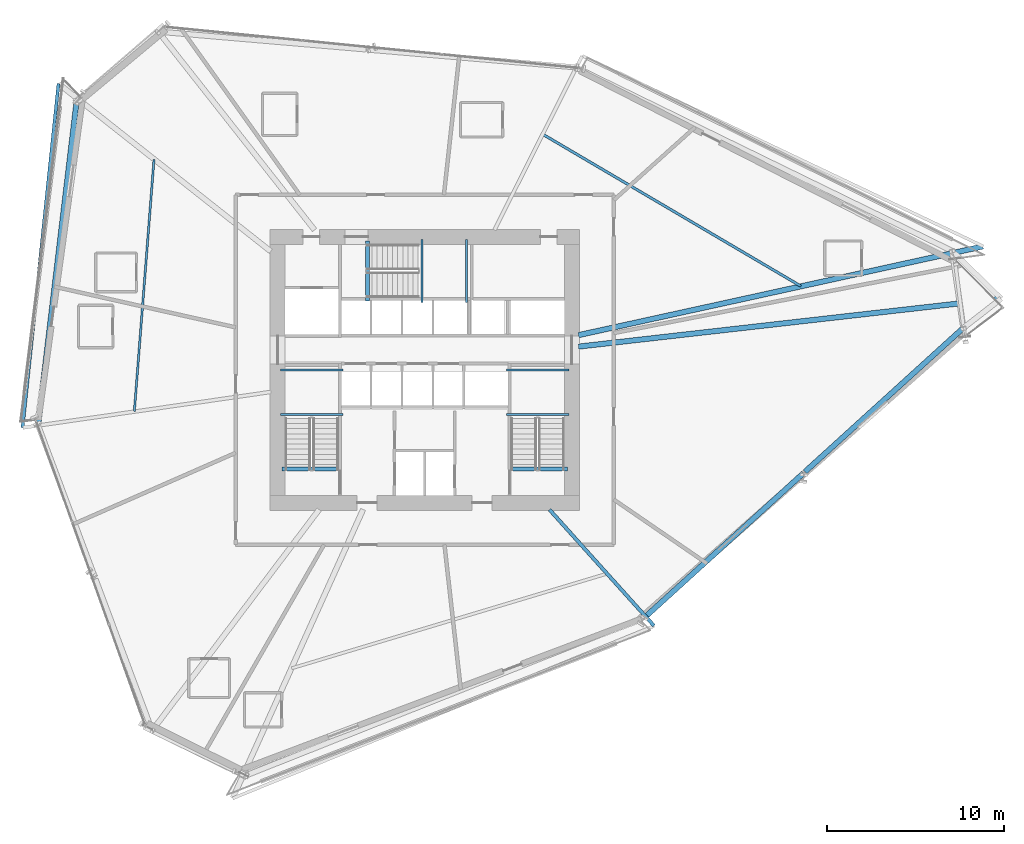
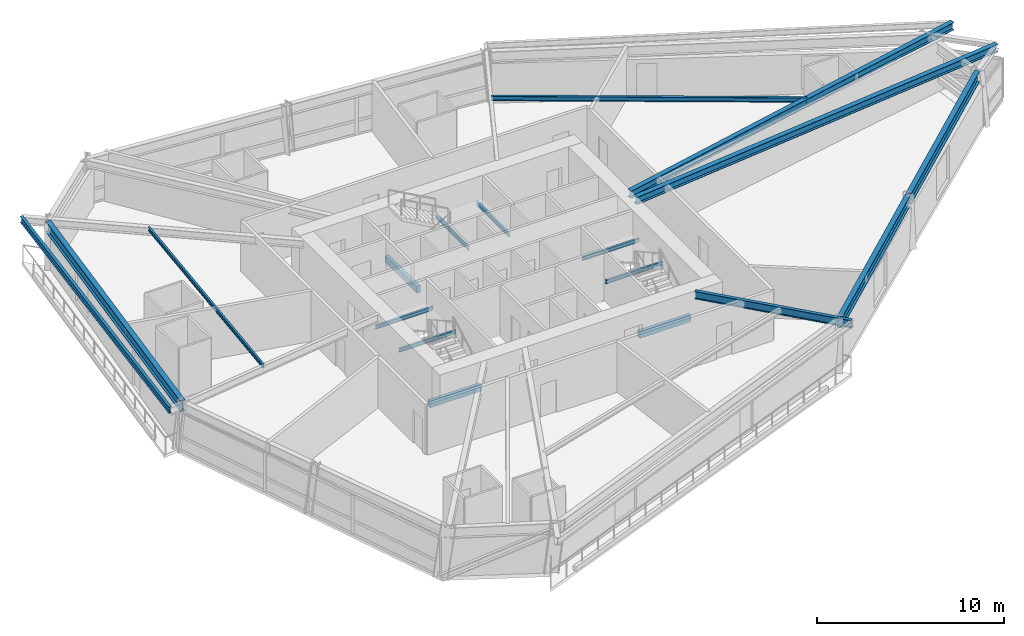
# One storey, part 7 of 24: 18 beams.
"""IFC4 building model written with IfcOpenShell, lengths in metres."""

from ifc_helpers import new_model, si_unit, direction, frame, origin, origin_2d, place, context, subcontext, project, spatial, rectangle, i_section, extrude, source, transform, mapped, material, material_profile, profile_set, type_object, element, save


model = new_model("IFC4")

# Units and contexts
model_context = context("Model", 3, precision=1e-05, world=origin(), true_north=direction((0.0, 1.0)))
body_context = subcontext(model_context, "Body", "Model", "MODEL_VIEW")
ifc_project = project(units=[si_unit("LENGTHUNIT", "METRE"), si_unit("AREAUNIT", "SQUARE_METRE"), si_unit("VOLUMEUNIT", "CUBIC_METRE"), si_unit("PLANEANGLEUNIT", "RADIAN"), si_unit("MASSUNIT", "GRAM", prefix="KILO")], contexts=[model_context])

# Site, building, storey
site_placement = place(None, origin())
site = spatial("IfcSite", under=ifc_project, at=site_placement, CompositionType="ELEMENT")
building_placement = place(site_placement, origin())
building = spatial("IfcBuilding", under=site, at=building_placement, Name="Olszyna Solenne Hotel", CompositionType="ELEMENT")
storey_placement = place(building_placement, frame((0.0, 0.0, 64.800048828125)))
storey = spatial("IfcBuildingStorey", under=building, at=storey_placement, Name="L16", CompositionType="ELEMENT", Elevation=64.800048828125)

# Beams
ifc_material_1 = material(Name="Steel S355J2", Category="steel")
ifc_material_profile_1 = material_profile(ifc_material_1, i_section(OverallWidth=0.300048828125, OverallDepth=0.699951171875, WebThickness=0.01708984375, FlangeThickness=0.031982421875, at=origin_2d()), Name="HEB 700", Category="load-bearing")
ifc_profile_set_1 = profile_set([ifc_material_profile_1], Name="Steel S355J2")
beam_type_1 = type_object("IfcBeamType", Name="BM-S1", PredefinedType="BEAM", material=ifc_profile_set_1)
shared_shape_1 = source(origin(), body_context, "Body", "SweptSolid", [
    extrude(i_section(OverallWidth=0.300048828125, OverallDepth=0.699951171875, WebThickness=0.01708984375, FlangeThickness=0.031982421875, at=origin_2d()), origin(), (0.0, 0.0, 1.0), 18.314208984375),
])
beam_1_placement = place(storey_placement, frame((18.29345703125, 41.69580078125, 2.949951171875), z_axis=(-0.118109611956, -0.993000563728, 0.0), x_axis=(0.993000563728, -0.118109611956, 0.0)))
element("IfcBeam", 1, at=beam_1_placement, inside=storey, type_object=beam_type_1, Name="Perimeter spandrel beam BM-S1 B-L16-0500", PredefinedType="BEAM", context=body_context, shape_type="MappedRepresentation", body=[
    mapped(shared_shape_1, transform((0.0, 0.0, 0.0), x_axis=(1.0, 0.0, 0.0), y_axis=(0.0, 1.0, 0.0), z_axis=(0.0, 0.0, 1.0), scale=1.0)),
])
shared_shape_2 = source(origin(), body_context, "Body", "SweptSolid", [
    extrude(i_section(OverallWidth=0.300048828125, OverallDepth=0.699951171875, WebThickness=0.01708984375, FlangeThickness=0.031982421875, at=origin_2d()), origin(), (0.0, 0.0, 1.0), 12.038818359375),
])
for number, where, z_axis, x_axis, name in (
    (2, (50.520263671875, 12.656982421875, 2.949951171875), (0.74029692212, 0.672280051094, 0.0), (-0.672280051094, 0.74029692212, 0.0), "Perimeter spandrel beam BM-S1 B-L16-0505"),
    (3, (59.521484375, 20.831298828125, 2.949951171875), (0.74029692212, 0.672280051094, 0.0), (-0.672280051094, 0.74029692212, 0.0), "Perimeter spandrel beam BM-S1 B-L16-0506"),
):
    element("IfcBeam", number, at=place(storey_placement, frame(where, z_axis=z_axis, x_axis=x_axis)), inside=storey, type_object=beam_type_1, Name=name, PredefinedType="BEAM", context=body_context, shape_type="MappedRepresentation", body=[
        mapped(shared_shape_2, transform((0.0, 0.0, 0.0), x_axis=(1.0, 0.0, 0.0), y_axis=(0.0, 1.0, 0.0), z_axis=(0.0, 0.0, 1.0), scale=1.0)),
    ])
ifc_material_profile_2 = material_profile(ifc_material_1, i_section(OverallWidth=0.300048828125, OverallDepth=0.489990234375, WebThickness=0.011962890625, FlangeThickness=0.02294921875, at=origin_2d()), Name="HEA 500", Category="load-bearing")
ifc_profile_set_2 = profile_set([ifc_material_profile_2], Name="Steel S355J2")
beam_type_2 = type_object("IfcBeamType", Name="BM-G1", PredefinedType="BEAM", material=ifc_profile_set_2)
shared_shape_3 = source(origin(), body_context, "Body", "SweptSolid", [
    extrude(i_section(OverallWidth=0.300048828125, OverallDepth=0.489990234375, WebThickness=0.011962890625, FlangeThickness=0.02294921875, at=origin_2d()), origin(), (0.0, 0.0, 1.0), 24.045166015625),
])
beam_2_placement = place(storey_placement, frame((70.592529296875, 30.62109375, 3.054931640625), z_axis=(-0.993625250925, -0.112733582949, 0.0), x_axis=(0.112733582949, -0.993625250925, 0.0)))
element("IfcBeam", 4, at=beam_2_placement, inside=storey, type_object=beam_type_2, Name="Radial floor girder BM-G1 B-L16-0507", PredefinedType="BEAM", context=body_context, shape_type="MappedRepresentation", body=[
    mapped(shared_shape_3, transform((0.0, 0.0, 0.0), x_axis=(1.0, 0.0, 0.0), y_axis=(0.0, 1.0, 0.0), z_axis=(0.0, 0.0, 1.0), scale=1.0)),
])
shared_shape_4 = source(origin(), body_context, "Body", "SweptSolid", [
    extrude(i_section(OverallWidth=0.300048828125, OverallDepth=0.489990234375, WebThickness=0.011962890625, FlangeThickness=0.02294921875, at=origin_2d()), origin(), (0.0, 0.0, 1.0), 23.431640625),
])
beam_3_placement = place(storey_placement, frame((69.58837890625, 33.580810546875, 3.054931640625), z_axis=(-0.97676700943, -0.214304011371, 0.0), x_axis=(0.214304011371, -0.97676700943, 0.0)))
element("IfcBeam", 5, at=beam_3_placement, inside=storey, type_object=beam_type_2, Name="Radial floor girder BM-G1 B-L16-0508", PredefinedType="BEAM", context=body_context, shape_type="MappedRepresentation", body=[
    mapped(shared_shape_4, transform((0.0, 0.0, 0.0), x_axis=(1.0, 0.0, 0.0), y_axis=(0.0, 1.0, 0.0), z_axis=(0.0, 0.0, 1.0), scale=1.0)),
])
ifc_material_profile_3 = material_profile(ifc_material_1, i_section(OverallWidth=0.199951171875, OverallDepth=0.5, WebThickness=0.01025390625, FlangeThickness=0.01611328125, at=origin_2d()), Name="IPE 500", Category="load-bearing")
ifc_profile_set_3 = profile_set([ifc_material_profile_3], Name="Steel S355J2")
beam_type_3 = type_object("IfcBeamType", Name="BM-F3", PredefinedType="BEAM", material=ifc_profile_set_3)
shared_shape_5 = source(origin(), body_context, "Body", "SweptSolid", [
    extrude(i_section(OverallWidth=0.199951171875, OverallDepth=0.5, WebThickness=0.01025390625, FlangeThickness=0.01611328125, at=origin_2d()), origin(), (0.0, 0.0, 1.0), 8.84033203125),
])
beam_4_placement = place(storey_placement, frame((50.97265625, 12.115234375, 3.050048828125), z_axis=(-0.668841135255, 0.743405364381, 0.0), x_axis=(-0.743405364381, -0.668841135255, 0.0)))
element("IfcBeam", 6, at=beam_4_placement, inside=storey, type_object=beam_type_3, Name="Radial floor girder BM-F3 B-L16-0515", PredefinedType="BEAM", context=body_context, shape_type="MappedRepresentation", body=[
    mapped(shared_shape_5, transform((0.0, 0.0, 0.0), x_axis=(1.0, 0.0, 0.0), y_axis=(0.0, 1.0, 0.0), z_axis=(0.0, 0.0, 1.0), scale=1.0)),
])
ifc_material_profile_4 = material_profile(ifc_material_1, i_section(OverallWidth=0.14990234375, OverallDepth=0.300048828125, WebThickness=0.007080078125, FlangeThickness=0.0107421875, at=origin_2d()), Name="IPE 300", Category="load-bearing")
ifc_profile_set_4 = profile_set([ifc_material_profile_4], Name="Steel S355J2")
beam_type_4 = type_object("IfcBeamType", Name="JS-02", PredefinedType="JOIST", material=ifc_profile_set_4)
shared_shape_6 = source(origin(), body_context, "Body", "SweptSolid", [
    extrude(i_section(OverallWidth=0.14990234375, OverallDepth=0.300048828125, WebThickness=0.007080078125, FlangeThickness=0.0107421875, at=origin_2d()), origin(), (0.0, 0.0, 1.0), 16.925537109375),
])
beam_5_placement = place(storey_placement, frame((59.28271484375, 31.33349609375, 3.14990234375), z_axis=(-0.861852626917, 0.507158801044, 0.0), x_axis=(-0.507158801044, -0.861852626917, 0.0)))
element("IfcBeam", 7, at=beam_5_placement, inside=storey, type_object=beam_type_4, Name="Secondary composite floor joist JS-02 B-L16-0518", PredefinedType="JOIST", context=body_context, shape_type="MappedRepresentation", body=[
    mapped(shared_shape_6, transform((0.0, 0.0, 0.0), x_axis=(1.0, 0.0, 0.0), y_axis=(0.0, 1.0, 0.0), z_axis=(0.0, 0.0, 1.0), scale=1.0)),
])
ifc_material_profile_5 = material_profile(ifc_material_1, i_section(OverallWidth=0.1201171875, OverallDepth=0.239990234375, WebThickness=0.006103515625, FlangeThickness=0.009765625, at=origin_2d()), Name="IPE 240", Category="load-bearing")
ifc_profile_set_5 = profile_set([ifc_material_profile_5], Name="Steel S355J2")
beam_type_5 = type_object("IfcBeamType", Name="JS-03", PredefinedType="JOIST", material=ifc_profile_set_5)
shared_shape_7 = source(origin(), body_context, "Body", "SweptSolid", [
    extrude(i_section(OverallWidth=0.1201171875, OverallDepth=0.239990234375, WebThickness=0.006103515625, FlangeThickness=0.009765625, at=origin_2d()), origin(), (0.0, 0.0, 1.0), 14.291259765625),
])
beam_6_placement = place(storey_placement, frame((22.6826171875, 38.4990234375, 3.179931640625), z_axis=(-0.077865646781, -0.996963861457, 0.0), x_axis=(0.996963861457, -0.077865646781, 0.0)))
element("IfcBeam", 8, at=beam_6_placement, inside=storey, type_object=beam_type_5, Name="Secondary composite floor joist JS-03 B-L16-0519", PredefinedType="JOIST", context=body_context, shape_type="MappedRepresentation", body=[
    mapped(shared_shape_7, transform((0.0, 0.0, 0.0), x_axis=(1.0, 0.0, 0.0), y_axis=(0.0, 1.0, 0.0), z_axis=(0.0, 0.0, 1.0), scale=1.0)),
])
ifc_material_profile_6 = material_profile(ifc_material_1, i_section(OverallWidth=0.179931640625, OverallDepth=0.39990234375, WebThickness=0.008544921875, FlangeThickness=0.013427734375, at=origin_2d()), Name="IPE 400", Category="load-bearing")
ifc_profile_set_6 = profile_set([ifc_material_profile_6], Name="Steel S355J2")
beam_type_6 = type_object("IfcBeamType", Name="BM-F5", PredefinedType="BEAM", material=ifc_profile_set_6)
shared_shape_8 = source(origin(), body_context, "Body", "SweptSolid", [
    extrude(i_section(OverallWidth=0.179931640625, OverallDepth=0.39990234375, WebThickness=0.008544921875, FlangeThickness=0.013427734375, at=origin_2d()), origin(), (0.0, 0.0, 1.0), 19.575927734375),
])
beam_7_placement = place(storey_placement, frame((17.280029296875, 42.7880859375, 3.099853515625), z_axis=(-0.104073870954, -0.994569569907, 0.0), x_axis=(0.994569569907, -0.104073870954, 0.0)))
element("IfcBeam", 9, at=beam_7_placement, inside=storey, type_object=beam_type_6, Name="Loggia outer edge beam BM-F5 B-L16-0522", PredefinedType="BEAM", context=body_context, shape_type="MappedRepresentation", body=[
    mapped(shared_shape_8, transform((0.0, 0.0, 0.0), x_axis=(1.0, 0.0, 0.0), y_axis=(0.0, 1.0, 0.0), z_axis=(0.0, 0.0, 1.0), scale=1.0)),
])
shared_shape_9 = source(origin(), body_context, "Body", "SweptSolid", [
    extrude(i_section(OverallWidth=0.1201171875, OverallDepth=0.239990234375, WebThickness=0.006103515625, FlangeThickness=0.009765625, at=origin_2d()), origin(), (0.0, 0.0, 1.0), 3.539794921875),
])
for number, where, z_axis, x_axis, name in (
    (10, (33.3798828125, 24.070068359375, 1.449951171875), (-1.0, 0.0, 0.0), (0.0, -1.0, 0.0), "Stair landing support beam JS-03 SLB-ST1-0037"),
    (11, (33.3798828125, 26.580078125, 1.449951171875), (-1.0, 0.0, 0.0), (0.0, -1.0, 0.0), "Stair landing support beam JS-03 SLB-ST1-0038"),
    (12, (46.159912109375, 24.070068359375, 1.449951171875), (-1.0, 0.0, 0.0), (0.0, -1.0, 0.0), "Stair landing support beam JS-03 SLB-ST2-0277"),
    (13, (46.159912109375, 26.580078125, 1.449951171875), (-1.0, 0.0, 0.0), (0.0, -1.0, 0.0), "Stair landing support beam JS-03 SLB-ST2-0278"),
):
    element("IfcBeam", number, at=place(storey_placement, frame(where, z_axis=z_axis, x_axis=x_axis)), inside=storey, type_object=beam_type_5, Name=name, PredefinedType="JOIST", context=body_context, shape_type="MappedRepresentation", body=[
        mapped(shared_shape_9, transform((0.0, 0.0, 0.0), x_axis=(1.0, 0.0, 0.0), y_axis=(0.0, 1.0, 0.0), z_axis=(0.0, 0.0, 1.0), scale=1.0)),
    ])
ifc_material_2 = material(Name="Concrete C50/60", Category="concrete")
ifc_material_profile_7 = material_profile(ifc_material_2, rectangle(XDim=0.219970703125, YDim=0.43994140625, at=origin_2d()), Name="RC 220x440", Category="load-bearing")
ifc_profile_set_7 = profile_set([ifc_material_profile_7], Name="Concrete C50/60")
beam_type_7 = type_object("IfcBeamType", Name="BM-ST1", PredefinedType="BEAM", material=ifc_profile_set_7)
shared_shape_10 = source(origin(), body_context, "Body", "SweptSolid", [
    extrude(rectangle(XDim=0.219970703125, YDim=0.43994140625, at=origin_2d()), origin(), (0.0, 0.0, 1.0), 3.18017578125),
])
for number, where, z_axis, x_axis, name in (
    (14, (33.10009765625, 20.97998046875, -0.205078125), (-1.0, 0.0, 0.0), (0.0, -1.0, 0.0), "Concrete stair trimmer beam BM-ST1 SHB-ST1-0178"),
    (15, (46.080078125, 20.97998046875, -0.205078125), (-1.0, 0.0, 0.0), (0.0, -1.0, 0.0), "Concrete stair trimmer beam BM-ST1 SHB-ST2-0418"),
):
    element("IfcBeam", number, at=place(storey_placement, frame(where, z_axis=z_axis, x_axis=x_axis)), inside=storey, type_object=beam_type_7, Name=name, PredefinedType="BEAM", context=body_context, shape_type="MappedRepresentation", body=[
        mapped(shared_shape_10, transform((0.0, 0.0, 0.0), x_axis=(1.0, 0.0, 0.0), y_axis=(0.0, 1.0, 0.0), z_axis=(0.0, 0.0, 1.0), scale=1.0)),
    ])
shared_shape_11 = source(origin(), body_context, "Body", "SweptSolid", [
    extrude(i_section(OverallWidth=0.1201171875, OverallDepth=0.239990234375, WebThickness=0.006103515625, FlangeThickness=0.009765625, at=origin_2d()), origin(), (0.0, 0.0, 1.0), 3.5400390625),
])
for number, where, z_axis, x_axis, name in (
    (16, (37.85009765625, 30.419921875, 1.449951171875), (0.0, 1.0, 0.0), (-1.0, 0.0, 0.0), "Stair landing support beam JS-03 SLB-ST3-0517"),
    (17, (40.360107421875, 30.419921875, 1.449951171875), (0.0, 1.0, 0.0), (-1.0, 0.0, 0.0), "Stair landing support beam JS-03 SLB-ST3-0518"),
):
    element("IfcBeam", number, at=place(storey_placement, frame(where, z_axis=z_axis, x_axis=x_axis)), inside=storey, type_object=beam_type_5, Name=name, PredefinedType="JOIST", context=body_context, shape_type="MappedRepresentation", body=[
        mapped(shared_shape_11, transform((0.0, 0.0, 0.0), x_axis=(1.0, 0.0, 0.0), y_axis=(0.0, 1.0, 0.0), z_axis=(0.0, 0.0, 1.0), scale=1.0)),
    ])
shared_shape_12 = source(origin(), body_context, "Body", "SweptSolid", [
    extrude(rectangle(XDim=0.219970703125, YDim=0.43994140625, at=origin_2d()), origin(), (0.0, 0.0, 1.0), 3.3798828125),
])
beam_8_placement = place(storey_placement, frame((34.760009765625, 30.5, -0.205078125), z_axis=(0.0, 1.0, 0.0), x_axis=(-1.0, 0.0, 0.0)))
element("IfcBeam", 18, at=beam_8_placement, inside=storey, type_object=beam_type_7, Name="Concrete stair trimmer beam BM-ST1 SHB-ST3-0656", PredefinedType="BEAM", context=body_context, shape_type="MappedRepresentation", body=[
    mapped(shared_shape_12, transform((0.0, 0.0, 0.0), x_axis=(1.0, 0.0, 0.0), y_axis=(0.0, 1.0, 0.0), z_axis=(0.0, 0.0, 1.0), scale=1.0)),
])

save(model, "model.ifc")
